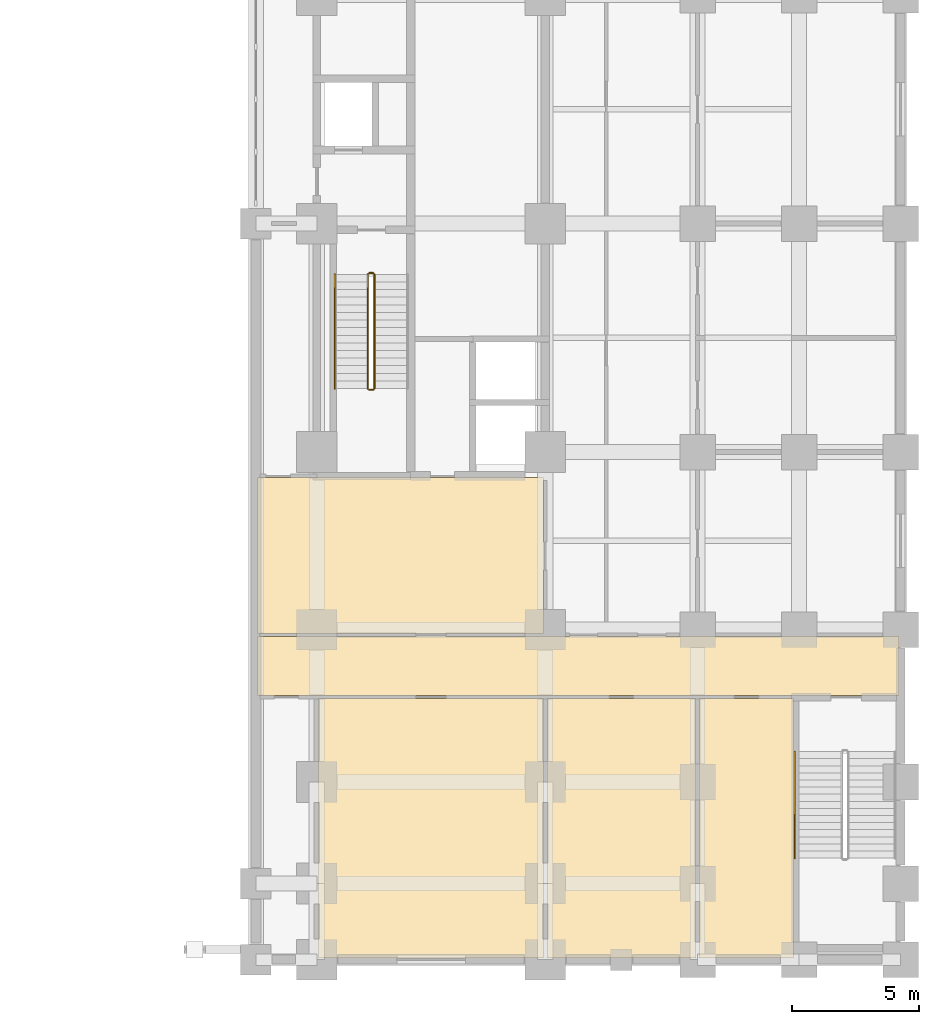
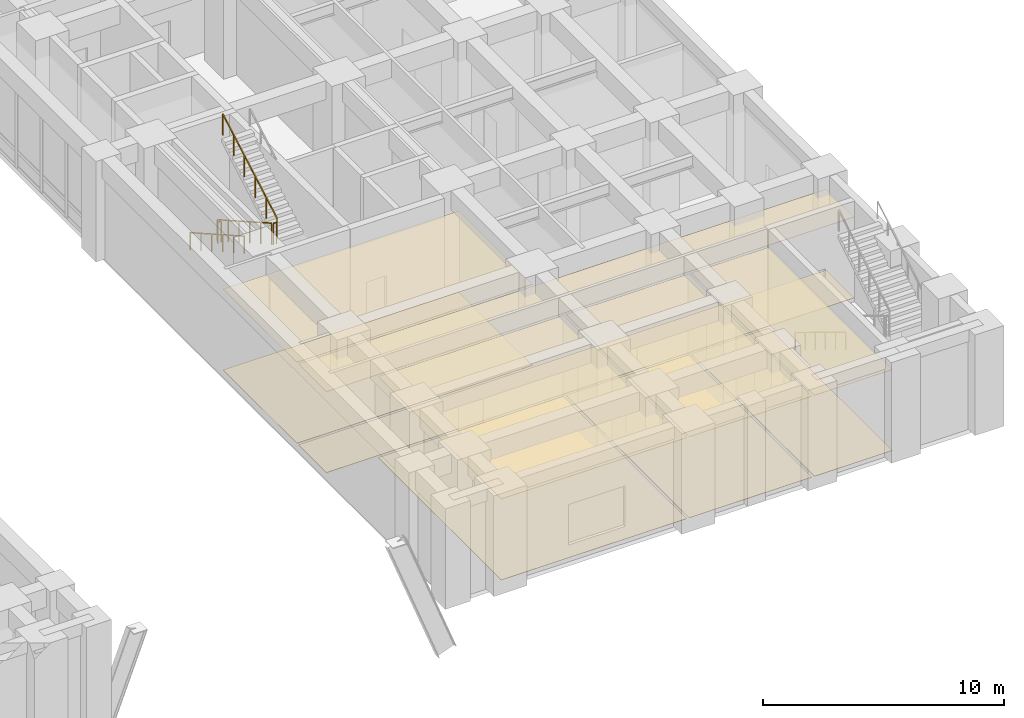
# One storey, part 20 of 23: 10 coverings, 6 railings.
"""IFC4 building model written with IfcOpenShell, lengths in metres."""

from ifc_helpers import new_model, si_unit, direction, frame, origin, origin_2d, place, context, subcontext, project, spatial, polyline, rectangle, outline, extrude, material, layer, layer_set, type_object, element, save


model = new_model("IFC4")

# Units and contexts
model_context = context("Model", 3, precision=1e-05, world=origin(), true_north=direction((0.0, 1.0)))
body_context = subcontext(model_context, "Body", "Model", "MODEL_VIEW")
ifc_project = project(units=[si_unit("LENGTHUNIT", "METRE"), si_unit("AREAUNIT", "SQUARE_METRE"), si_unit("VOLUMEUNIT", "CUBIC_METRE"), si_unit("PLANEANGLEUNIT", "RADIAN"), si_unit("MASSUNIT", "GRAM", prefix="KILO")], contexts=[model_context])

# Site, building, storey
site_placement = place(None, origin())
site = spatial("IfcSite", under=ifc_project, at=site_placement, CompositionType="ELEMENT")
building_placement = place(site_placement, origin())
building = spatial("IfcBuilding", under=site, at=building_placement, Name="Zulmaris Gate Convention Tower", CompositionType="ELEMENT")
storey_placement = place(building_placement, frame((0.0, 0.0, 10.8798828125)))
storey = spatial("IfcBuildingStorey", under=building, at=storey_placement, Name="L02", CompositionType="ELEMENT", Elevation=10.8798828125)

# Coverings
ifc_material_1 = material(Name="Mineral Fibre Acoustic Ceiling Tile")
ifc_layer_1 = layer(ifc_material_1, 0.02001953125, Name="Mineral Fibre Acoustic Ceiling Tile")
ifc_layer_set_1 = layer_set([ifc_layer_1], Name="Mineral Fibre Acoustic Ceiling Tile")
covering_type_1 = type_object("IfcCoveringType", Name="CLG-ACOUSTIC-600", PredefinedType="CEILING", material=ifc_layer_set_1)
covering_1_placement = place(storey_placement, frame((0.0, 0.0, 4.10009765625)))
element("IfcCovering", 1, at=covering_1_placement, inside=storey, type_object=covering_type_1, Name="CLG-L02-R47", PredefinedType="CEILING", context=body_context, shape_type="SweptSolid", body=[
    extrude(outline(polyline([(8.659912109375, -18.590087890625), (33.93994140625, -18.590087890625), (33.93994140625, -16.260009765625), (8.659912109375, -16.260009765625), (8.659912109375, -18.590087890625)])), origin(), (0.0, 0.0, 1.0), 0.02001953125),
])
covering_2_placement = place(storey_placement, frame((0.0, 0.0, 4.10009765625)))
element("IfcCovering", 2, at=covering_2_placement, inside=storey, type_object=covering_type_1, Name="CLG-L02-R49", PredefinedType="CEILING", context=body_context, shape_type="SweptSolid", body=[
    extrude(outline(polyline([(8.659912109375, -16.139892578125), (19.93994140625, -16.139892578125), (19.93994140625, -10.010009765625), (8.659912109375, -10.010009765625), (8.659912109375, -16.139892578125)])), origin(), (0.0, 0.0, 1.0), 0.02001953125),
])
covering_3_placement = place(storey_placement, frame((0.0, 0.0, 4.10009765625)))
element("IfcCovering", 3, at=covering_3_placement, inside=storey, type_object=covering_type_1, Name="CLG-L02-R82", PredefinedType="CEILING", context=body_context, shape_type="SweptSolid", body=[
    extrude(outline(polyline([(11.06005859375, -28.93994140625), (19.93994140625, -28.93994140625), (19.93994140625, -18.7099609375), (11.06005859375, -18.7099609375), (11.06005859375, -28.93994140625)])), origin(), (0.0, 0.0, 1.0), 0.02001953125),
])
covering_4_placement = place(storey_placement, frame((0.0, 0.0, 4.10009765625)))
element("IfcCovering", 4, at=covering_4_placement, inside=storey, type_object=covering_type_1, Name="CLG-L02-R83", PredefinedType="CEILING", context=body_context, shape_type="SweptSolid", body=[
    extrude(outline(polyline([(20.06005859375, -28.93994140625), (25.93994140625, -28.93994140625), (25.93994140625, -18.7099609375), (20.06005859375, -18.7099609375), (20.06005859375, -28.93994140625)])), origin(), (0.0, 0.0, 1.0), 0.02001953125),
])
covering_5_placement = place(storey_placement, frame((0.0, 0.0, 4.10009765625)))
element("IfcCovering", 5, at=covering_5_placement, inside=storey, type_object=covering_type_1, Name="CLG-L02-R84", PredefinedType="CEILING", context=body_context, shape_type="SweptSolid", body=[
    extrude(outline(polyline([(26.06005859375, -28.93994140625), (29.7900390625, -28.93994140625), (29.7900390625, -18.7099609375), (26.06005859375, -18.7099609375), (26.06005859375, -28.93994140625)])), origin(), (0.0, 0.0, 1.0), 0.02001953125),
])
ifc_material_2 = material(Name="Woven Acoustic Wool Carpet Tile")
ifc_layer_2 = layer(ifc_material_2, 0.02001953125, Name="Woven Acoustic Wool Carpet Tile")
ifc_layer_set_2 = layer_set([ifc_layer_2], Name="Woven Acoustic Wool Carpet Tile")
covering_type_2 = type_object("IfcCoveringType", Name="FLR-CARPET-12", PredefinedType="FLOORING", material=ifc_layer_set_2)
covering_6_placement = place(storey_placement, origin())
element("IfcCovering", 6, at=covering_6_placement, inside=storey, type_object=covering_type_2, Name="FLR-L02-R47", PredefinedType="FLOORING", context=body_context, shape_type="SweptSolid", body=[
    extrude(outline(polyline([(8.659912109375, -18.590087890625), (33.93994140625, -18.590087890625), (33.93994140625, -16.260009765625), (8.659912109375, -16.260009765625), (8.659912109375, -18.590087890625)])), origin(), (0.0, 0.0, 1.0), 0.02001953125),
])
covering_7_placement = place(storey_placement, origin())
element("IfcCovering", 7, at=covering_7_placement, inside=storey, type_object=covering_type_2, Name="FLR-L02-R49", PredefinedType="FLOORING", context=body_context, shape_type="SweptSolid", body=[
    extrude(outline(polyline([(8.659912109375, -16.139892578125), (19.93994140625, -16.139892578125), (19.93994140625, -10.010009765625), (8.659912109375, -10.010009765625), (8.659912109375, -16.139892578125)])), origin(), (0.0, 0.0, 1.0), 0.02001953125),
])
covering_8_placement = place(storey_placement, origin())
element("IfcCovering", 8, at=covering_8_placement, inside=storey, type_object=covering_type_2, Name="FLR-L02-R84", PredefinedType="FLOORING", context=body_context, shape_type="SweptSolid", body=[
    extrude(outline(polyline([(26.06005859375, -28.93994140625), (29.7900390625, -28.93994140625), (29.7900390625, -18.7099609375), (26.06005859375, -18.7099609375), (26.06005859375, -28.93994140625)])), origin(), (0.0, 0.0, 1.0), 0.02001953125),
])
ifc_material_3 = material(Name="Polished Granite Terrazzo Tile", Category="masonry")
ifc_layer_3 = layer(ifc_material_3, 0.02001953125, Name="Polished Granite Terrazzo Tile")
ifc_layer_set_3 = layer_set([ifc_layer_3], Name="Polished Granite Terrazzo Tile")
covering_type_3 = type_object("IfcCoveringType", Name="FLR-TERRAZZO-30", PredefinedType="FLOORING", material=ifc_layer_set_3)
covering_9_placement = place(storey_placement, origin())
element("IfcCovering", 9, at=covering_9_placement, inside=storey, type_object=covering_type_3, Name="FLR-L02-R82", PredefinedType="FLOORING", context=body_context, shape_type="SweptSolid", body=[
    extrude(outline(polyline([(11.06005859375, -28.93994140625), (19.93994140625, -28.93994140625), (19.93994140625, -18.7099609375), (11.06005859375, -18.7099609375), (11.06005859375, -28.93994140625)])), origin(), (0.0, 0.0, 1.0), 0.02001953125),
])
ifc_material_4 = material(Name="Engineered Teak Parquet Flooring")
ifc_layer_4 = layer(ifc_material_4, 0.02001953125, Name="Engineered Teak Parquet Flooring")
ifc_layer_set_4 = layer_set([ifc_layer_4], Name="Engineered Teak Parquet Flooring")
covering_type_4 = type_object("IfcCoveringType", Name="FLR-TIMBER-18", PredefinedType="FLOORING", material=ifc_layer_set_4)
covering_10_placement = place(storey_placement, origin())
element("IfcCovering", 10, at=covering_10_placement, inside=storey, type_object=covering_type_4, Name="FLR-L02-R83", PredefinedType="FLOORING", context=body_context, shape_type="SweptSolid", body=[
    extrude(outline(polyline([(20.06005859375, -28.93994140625), (25.93994140625, -28.93994140625), (25.93994140625, -18.7099609375), (20.06005859375, -18.7099609375), (20.06005859375, -28.93994140625)])), origin(), (0.0, 0.0, 1.0), 0.02001953125),
])

# Railings
ifc_material_5 = material(Name="Painted Galvanised Steel", Category="steel")
railing_type_1 = type_object("IfcRailingType", Name="RL-STG-1150", PredefinedType="GUARDRAIL", material=ifc_material_5)
railing_1_placement = place(storey_placement, frame((13.010009765625, -2.0, 0.169921875)))
element("IfcRailing", 11, at=railing_1_placement, inside=storey, type_object=railing_type_1, Name="L02 ST-2 stair guard 1", PredefinedType="GUARDRAIL", context=body_context, shape_type="SweptSolid", body=[
    extrude(rectangle(XDim=0.048095703125, YDim=0.048095703125, at=origin_2d()), frame((0.0, 0.0, 1.076171875), z_axis=(0.0, -0.869997889882, 0.493055444754), x_axis=(1.0, 0.0, 0.0)), (0.0, 0.0, 1.0), 5.17236328125),
    extrude(rectangle(XDim=0.0419921875, YDim=0.0419921875, at=origin_2d()), origin(), (0.0, 0.0, 1.0), 1.052001953125),
    extrude(rectangle(XDim=0.0419921875, YDim=0.0419921875, at=origin_2d()), frame((0.0, -0.89990234375, 0.510009765625)), (0.0, 0.0, 1.0), 1.052001953125),
    extrude(rectangle(XDim=0.0419921875, YDim=0.0419921875, at=origin_2d()), frame((0.0, -1.800048828125, 1.02001953125)), (0.0, 0.0, 1.0), 1.052001953125),
    extrude(rectangle(XDim=0.0419921875, YDim=0.0419921875, at=origin_2d()), frame((0.0, -2.699951171875, 1.5302734375)), (0.0, 0.0, 1.0), 1.052001953125),
    extrude(rectangle(XDim=0.0419921875, YDim=0.0419921875, at=origin_2d()), frame((0.0, -3.60009765625, 2.040283203125)), (0.0, 0.0, 1.0), 1.052001953125),
    extrude(rectangle(XDim=0.0419921875, YDim=0.0419921875, at=origin_2d()), frame((0.0, -4.5, 2.55029296875)), (0.0, 0.0, 1.0), 1.052001953125),
])
railing_2_placement = place(storey_placement, frame((13.06005859375, -6.550048828125, 2.72021484375)))
element("IfcRailing", 12, at=railing_2_placement, inside=storey, type_object=railing_type_1, Name="L02 ST-2 stair guard 2", PredefinedType="GUARDRAIL", context=body_context, shape_type="SweptSolid", body=[
    extrude(rectangle(XDim=0.048095703125, YDim=0.048095703125, at=origin_2d()), frame((0.0, 0.0, 1.076171875), z_axis=(1.0, 0.0, 0.0), x_axis=(0.0, 1.0, 0.0)), (0.0, 0.0, 1.0), 0.159912109375),
    extrude(rectangle(XDim=0.0419921875, YDim=0.0419921875, at=origin_2d()), origin(), (0.0, 0.0, 1.0), 1.052001953125),
    extrude(rectangle(XDim=0.0419921875, YDim=0.0419921875, at=origin_2d()), frame((0.159912109375, 0.0, 0.0)), (0.0, 0.0, 1.0), 1.052001953125),
])
railing_3_placement = place(storey_placement, frame((13.27001953125, -6.5, 2.89013671875)))
element("IfcRailing", 13, at=railing_3_placement, inside=storey, type_object=railing_type_1, Name="L02 ST-2 stair guard 3", PredefinedType="GUARDRAIL", context=body_context, shape_type="SweptSolid", body=[
    extrude(rectangle(XDim=0.048095703125, YDim=0.048095703125, at=origin_2d()), frame((0.0, 0.0, 1.076171875), z_axis=(0.0, 0.870018136573, 0.493019717692), x_axis=(-1.0, 0.0, 0.0)), (0.0, 0.0, 1.0), 5.17236328125),
    extrude(rectangle(XDim=0.0419921875, YDim=0.0419921875, at=origin_2d()), origin(), (0.0, 0.0, 1.0), 1.052001953125),
    extrude(rectangle(XDim=0.0419921875, YDim=0.0419921875, at=origin_2d()), frame((0.0, 0.89990234375, 0.510009765625)), (0.0, 0.0, 1.0), 1.052001953125),
    extrude(rectangle(XDim=0.0419921875, YDim=0.0419921875, at=origin_2d()), frame((0.0, 1.800048828125, 1.02001953125)), (0.0, 0.0, 1.0), 1.052001953125),
    extrude(rectangle(XDim=0.0419921875, YDim=0.0419921875, at=origin_2d()), frame((0.0, 2.699951171875, 1.530029296875)), (0.0, 0.0, 1.0), 1.052001953125),
    extrude(rectangle(XDim=0.0419921875, YDim=0.0419921875, at=origin_2d()), frame((0.0, 3.60009765625, 2.0400390625)), (0.0, 0.0, 1.0), 1.052001953125),
    extrude(rectangle(XDim=0.0419921875, YDim=0.0419921875, at=origin_2d()), frame((0.0, 4.5, 2.550048828125)), (0.0, 0.0, 1.0), 1.052001953125),
])
railing_4_placement = place(storey_placement, frame((13.06005859375, -1.949951171875, 0.0)))
element("IfcRailing", 14, at=railing_4_placement, inside=storey, type_object=railing_type_1, Name="L02 ST-2 stair guard 4", PredefinedType="GUARDRAIL", context=body_context, shape_type="SweptSolid", body=[
    extrude(rectangle(XDim=0.048095703125, YDim=0.048095703125, at=origin_2d()), frame((0.0, 0.0, 1.076171875), z_axis=(1.0, 0.0, 0.0), x_axis=(0.0, 1.0, 0.0)), (0.0, 0.0, 1.0), 0.159912109375),
    extrude(rectangle(XDim=0.0419921875, YDim=0.0419921875, at=origin_2d()), origin(), (0.0, 0.0, 1.0), 1.052001953125),
    extrude(rectangle(XDim=0.0419921875, YDim=0.0419921875, at=origin_2d()), frame((0.159912109375, 0.0, 0.0)), (0.0, 0.0, 1.0), 1.052001953125),
])
ifc_material_6 = material(Name="Brushed Stainless Steel", Category="steel")
railing_type_2 = type_object("IfcRailingType", Name="RL-STH-900", PredefinedType="HANDRAIL", material=ifc_material_6)
railing_5_placement = place(storey_placement, frame((11.7099609375, -2.0, 0.169921875)))
element("IfcRailing", 15, at=railing_5_placement, inside=storey, type_object=railing_type_2, Name="L02 ST-2 stair handrail 1", PredefinedType="HANDRAIL", context=body_context, shape_type="SweptSolid", body=[
    extrude(rectangle(XDim=0.048095703125, YDim=0.048095703125, at=origin_2d()), frame((0.0, 0.0, 0.8759765625), z_axis=(0.0, -0.869997889882, 0.493055444754), x_axis=(1.0, 0.0, 0.0)), (0.0, 0.0, 1.0), 5.17236328125),
    extrude(rectangle(XDim=0.0419921875, YDim=0.0419921875, at=origin_2d()), origin(), (0.0, 0.0, 1.0), 0.851806640625),
    extrude(rectangle(XDim=0.0419921875, YDim=0.0419921875, at=origin_2d()), frame((0.0, -0.89990234375, 0.510009765625)), (0.0, 0.0, 1.0), 0.851806640625),
    extrude(rectangle(XDim=0.0419921875, YDim=0.0419921875, at=origin_2d()), frame((0.0, -1.800048828125, 1.02001953125)), (0.0, 0.0, 1.0), 0.851806640625),
    extrude(rectangle(XDim=0.0419921875, YDim=0.0419921875, at=origin_2d()), frame((0.0, -2.699951171875, 1.5302734375)), (0.0, 0.0, 1.0), 0.851806640625),
    extrude(rectangle(XDim=0.0419921875, YDim=0.0419921875, at=origin_2d()), frame((0.0, -3.60009765625, 2.040283203125)), (0.0, 0.0, 1.0), 0.851806640625),
    extrude(rectangle(XDim=0.0419921875, YDim=0.0419921875, at=origin_2d()), frame((0.0, -4.5, 2.55029296875)), (0.0, 0.0, 1.0), 0.851806640625),
])
railing_6_placement = place(storey_placement, frame((29.830078125, -20.800048828125, 0.169921875)))
element("IfcRailing", 16, at=railing_6_placement, inside=storey, type_object=railing_type_2, Name="L02 ST-6 stair handrail 1", PredefinedType="HANDRAIL", context=body_context, shape_type="SweptSolid", body=[
    extrude(rectangle(XDim=0.048095703125, YDim=0.048095703125, at=origin_2d()), frame((0.0, 0.0, 0.8759765625), z_axis=(0.0, -0.854758387255, 0.519026106683), x_axis=(1.0, 0.0, 0.0)), (0.0, 0.0, 1.0), 4.91357421875),
    extrude(rectangle(XDim=0.0419921875, YDim=0.0419921875, at=origin_2d()), origin(), (0.0, 0.0, 1.0), 0.851806640625),
    extrude(rectangle(XDim=0.0419921875, YDim=0.0419921875, at=origin_2d()), frame((0.0, -0.840087890625, 0.510009765625)), (0.0, 0.0, 1.0), 0.851806640625),
    extrude(rectangle(XDim=0.0419921875, YDim=0.0419921875, at=origin_2d()), frame((0.0, -1.679931640625, 1.02001953125)), (0.0, 0.0, 1.0), 0.851806640625),
    extrude(rectangle(XDim=0.0419921875, YDim=0.0419921875, at=origin_2d()), frame((0.0, -2.52001953125, 1.5302734375)), (0.0, 0.0, 1.0), 0.851806640625),
    extrude(rectangle(XDim=0.0419921875, YDim=0.0419921875, at=origin_2d()), frame((0.0, -3.35986328125, 2.040283203125)), (0.0, 0.0, 1.0), 0.851806640625),
    extrude(rectangle(XDim=0.0419921875, YDim=0.0419921875, at=origin_2d()), frame((0.0, -4.199951171875, 2.55029296875)), (0.0, 0.0, 1.0), 0.851806640625),
])

save(model, "model.ifc")
